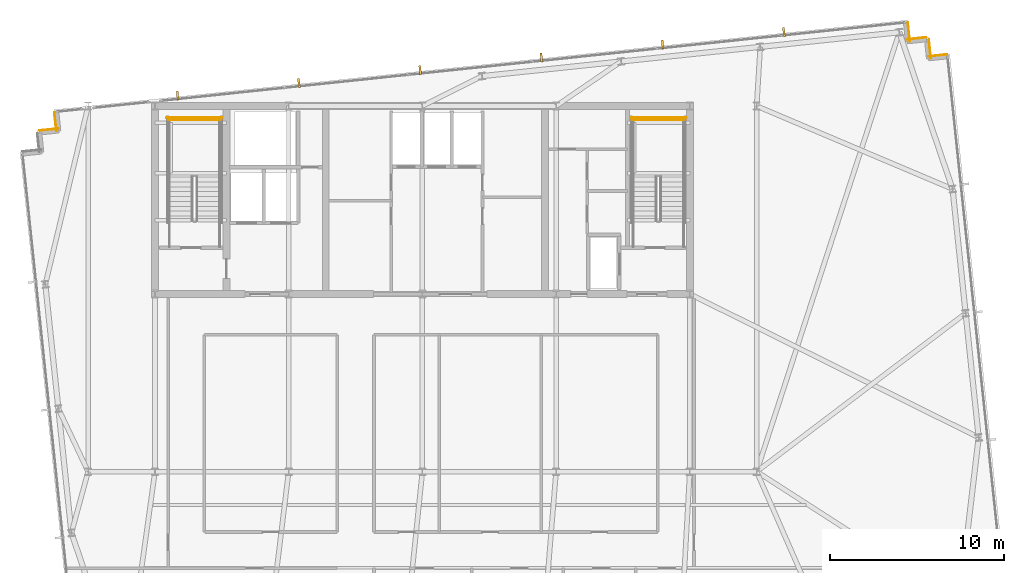
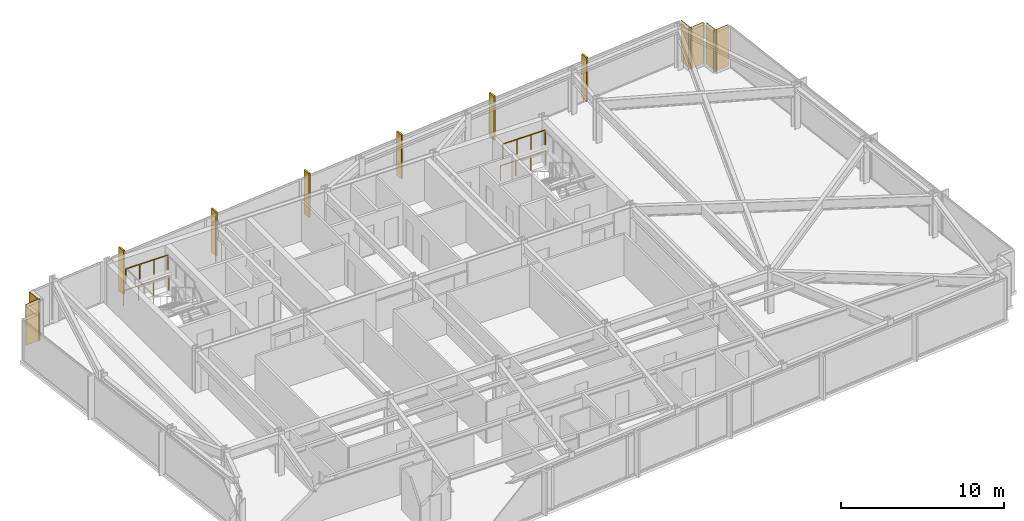
# One storey, part 32 of 32: 6 coverings, 6 shading devices, 4 railings.
"""IFC4 building model written with IfcOpenShell, lengths in metres."""

from ifc_helpers import new_model, si_unit, direction, frame, frame_2d, origin, origin_2d, place, context, subcontext, project, spatial, rectangle, circle, extrude, material, layer, layer_set, type_object, element, save


model = new_model("IFC4")

# Units and contexts
model_context = context("Model", 3, precision=1e-05, world=origin(), true_north=direction((0.0, 1.0)))
body_context = subcontext(model_context, "Body", "Model", "MODEL_VIEW")
ifc_project = project(units=[si_unit("LENGTHUNIT", "METRE"), si_unit("AREAUNIT", "SQUARE_METRE"), si_unit("VOLUMEUNIT", "CUBIC_METRE"), si_unit("PLANEANGLEUNIT", "RADIAN"), si_unit("MASSUNIT", "GRAM", prefix="KILO")], contexts=[model_context])

# Site, building, storey
site_placement = place(None, origin())
site = spatial("IfcSite", under=ifc_project, at=site_placement, CompositionType="ELEMENT")
building_placement = place(site_placement, origin())
building = spatial("IfcBuilding", under=site, at=building_placement, Name="Yelkora Congress Tower", CompositionType="ELEMENT")
storey_placement = place(building_placement, frame((0.0, 0.0, 214.39990234375)))
storey = spatial("IfcBuildingStorey", under=building, at=storey_placement, Name="L59", CompositionType="ELEMENT", Elevation=214.39990234375)

# Coverings
ifc_material_1 = material(Name="Anatolian bush-hammered limestone", Category="masonry")
ifc_layer_1 = layer(ifc_material_1, 0.0400390625)
ifc_layer_set_1 = layer_set([ifc_layer_1], Name="Anatolian bush-hammered limestone")
covering_type = type_object("IfcCoveringType", Name="COV-CLAD-SPANDREL-40", PredefinedType="CLADDING", material=ifc_layer_set_1)
for number, where, z_axis, x_axis, name in (
    (1, (16.406005859375, 44.7880859375, 0.0), (0.0, 0.0, 1.0), (0.994544300928, 0.104315068386, 0.0), "L59 Anatolian Limestone Cladding EW-L59-SR08"),
    (2, (17.379638671875, 44.75439453125, 0.0), (0.0, 0.0, 1.0), (-0.104534592565, 0.994521251134, 0.0), "L59 Anatolian Limestone Cladding EW-L59-SR09"),
    (3, (66.284912109375, 51.000732421875, 0.0), (0.0, 0.0, 1.0), (0.104534592565, -0.994521251134, 0.0), "L59 Anatolian Limestone Cladding EW-L59-SR11"),
):
    element("IfcCovering", number, at=place(storey_placement, frame(where, z_axis=z_axis, x_axis=x_axis)), inside=storey, type_object=covering_type, Name=name, PredefinedType="CLADDING", context=body_context, shape_type="SweptSolid", body=[
        extrude(rectangle(XDim=1.10009765625, YDim=0.0400390625, at=frame_2d((0.550048828125, 0.0))), origin(), (0.0, 0.0, 1.0), 3.080078125),
    ])
covering_placement = place(storey_placement, frame((66.25146484375, 50.02685546875, 0.0), z_axis=(0.0, 0.0, 1.0), x_axis=(0.994518825066, 0.104557671117, 0.0)))
element("IfcCovering", 4, at=covering_placement, inside=storey, type_object=covering_type, Name="L59 Anatolian Limestone Cladding EW-L59-SR12", PredefinedType="CLADDING", context=body_context, shape_type="SweptSolid", body=[
    extrude(rectangle(XDim=1.099853515625, YDim=0.0400390625, at=frame_2d((0.5498046875, 0.0))), origin(), (0.0, 0.0, 1.0), 3.080078125),
])
for number, where, z_axis, x_axis, name in (
    (5, (67.49365234375, 50.021728515625, 0.0), (0.0, 0.0, 1.0), (0.104534592565, -0.994521251134, 0.0), "L59 Anatolian Limestone Cladding EW-L59-SR13"),
    (6, (67.460205078125, 49.0478515625, 0.0), (0.0, 0.0, 1.0), (0.994521251134, 0.104534592565, 0.0), "L59 Anatolian Limestone Cladding EW-L59-SR14"),
):
    element("IfcCovering", number, at=place(storey_placement, frame(where, z_axis=z_axis, x_axis=x_axis)), inside=storey, type_object=covering_type, Name=name, PredefinedType="CLADDING", context=body_context, shape_type="SweptSolid", body=[
        extrude(rectangle(XDim=1.10009765625, YDim=0.0400390625, at=frame_2d((0.550048828125, 0.0))), origin(), (0.0, 0.0, 1.0), 3.080078125),
    ])

# Railings
ifc_material_2 = material(Name="Painted galvanised steel stair well guard with vertical infill", Category="steel")
ifc_layer_2 = layer(ifc_material_2, 0.06005859375)
ifc_layer_set_2 = layer_set([ifc_layer_2], Name="Painted galvanised steel stair well guard with vertical infill")
railing_type = type_object("IfcRailingType", Name="RAIL-STAIR-GUARD-1120", PredefinedType="GUARDRAIL", material=ifc_layer_set_2)
railing_1_placement = place(storey_placement, frame((26.820068359375, 45.419921875, 1.650146484375)))
element("IfcRailing", 7, at=railing_1_placement, inside=storey, type_object=railing_type, Name="ST-01 L59 Stair Well Guardrail 5", PredefinedType="GUARDRAIL", context=body_context, shape_type="SweptSolid", body=[
    extrude(circle(Radius=0.02392578125, at=origin_2d()), frame((0.0, 0.0, 1.09619140625), z_axis=(-1.0, 0.0, 0.0), x_axis=(0.0, -1.0, 0.0)), (0.0, 0.0, 1.0), 3.0),
    extrude(circle(Radius=0.02099609375, at=origin_2d()), origin(), (0.0, 0.0, 1.0), 1.072021484375),
    extrude(circle(Radius=0.02099609375, at=origin_2d()), frame((-1.0, 0.0, 0.0)), (0.0, 0.0, 1.0), 1.072021484375),
    extrude(circle(Radius=0.02099609375, at=origin_2d()), frame((-2.0, 0.0, 0.0)), (0.0, 0.0, 1.0), 1.072021484375),
    extrude(circle(Radius=0.02099609375, at=origin_2d()), frame((-3.0, 0.0, 0.0)), (0.0, 0.0, 1.0), 1.072021484375),
])
railing_2_placement = place(storey_placement, frame((26.919921875, 45.52001953125, 0.0)))
element("IfcRailing", 8, at=railing_2_placement, inside=storey, type_object=railing_type, Name="ST-01 L59 Stair Well Guardrail 12", PredefinedType="GUARDRAIL", context=body_context, shape_type="SweptSolid", body=[
    extrude(circle(Radius=0.02392578125, at=origin_2d()), frame((0.0, 0.0, 1.09619140625), z_axis=(-1.0, 0.0, 0.0), x_axis=(0.0, -1.0, 0.0)), (0.0, 0.0, 1.0), 3.199951171875),
    extrude(circle(Radius=0.02099609375, at=origin_2d()), origin(), (0.0, 0.0, 1.0), 1.072021484375),
    extrude(circle(Radius=0.02099609375, at=origin_2d()), frame((-1.066650390625, 0.0, 0.0)), (0.0, 0.0, 1.0), 1.072021484375),
    extrude(circle(Radius=0.02099609375, at=origin_2d()), frame((-2.13330078125, 0.0, 0.0)), (0.0, 0.0, 1.0), 1.072021484375),
    extrude(circle(Radius=0.02099609375, at=origin_2d()), frame((-3.199951171875, 0.0, 0.0)), (0.0, 0.0, 1.0), 1.072021484375),
])
railing_3_placement = place(storey_placement, frame((53.4599609375, 45.419921875, 1.650146484375)))
element("IfcRailing", 9, at=railing_3_placement, inside=storey, type_object=railing_type, Name="ST-02 L59 Stair Well Guardrail 5", PredefinedType="GUARDRAIL", context=body_context, shape_type="SweptSolid", body=[
    extrude(circle(Radius=0.02392578125, at=origin_2d()), frame((0.0, 0.0, 1.09619140625), z_axis=(-1.0, 0.0, 0.0), x_axis=(0.0, -1.0, 0.0)), (0.0, 0.0, 1.0), 3.0),
    extrude(circle(Radius=0.02099609375, at=origin_2d()), origin(), (0.0, 0.0, 1.0), 1.072021484375),
    extrude(circle(Radius=0.02099609375, at=origin_2d()), frame((-1.0, 0.0, 0.0)), (0.0, 0.0, 1.0), 1.072021484375),
    extrude(circle(Radius=0.02099609375, at=origin_2d()), frame((-2.0, 0.0, 0.0)), (0.0, 0.0, 1.0), 1.072021484375),
    extrude(circle(Radius=0.02099609375, at=origin_2d()), frame((-3.0, 0.0, 0.0)), (0.0, 0.0, 1.0), 1.072021484375),
])
railing_4_placement = place(storey_placement, frame((53.56005859375, 45.52001953125, 0.0)))
element("IfcRailing", 10, at=railing_4_placement, inside=storey, type_object=railing_type, Name="ST-02 L59 Stair Well Guardrail 12", PredefinedType="GUARDRAIL", context=body_context, shape_type="SweptSolid", body=[
    extrude(circle(Radius=0.02392578125, at=origin_2d()), frame((0.0, 0.0, 1.09619140625), z_axis=(-1.0, 0.0, 0.0), x_axis=(0.0, -1.0, 0.0)), (0.0, 0.0, 1.0), 3.199951171875),
    extrude(circle(Radius=0.02099609375, at=origin_2d()), origin(), (0.0, 0.0, 1.0), 1.072021484375),
    extrude(circle(Radius=0.02099609375, at=origin_2d()), frame((-1.066650390625, 0.0, 0.0)), (0.0, 0.0, 1.0), 1.072021484375),
    extrude(circle(Radius=0.02099609375, at=origin_2d()), frame((-2.13330078125, 0.0, 0.0)), (0.0, 0.0, 1.0), 1.072021484375),
    extrude(circle(Radius=0.02099609375, at=origin_2d()), frame((-3.199951171875, 0.0, 0.0)), (0.0, 0.0, 1.0), 1.072021484375),
])

# Shading devices
ifc_material_3 = material(Name="Champagne anodised aluminium", Category="aluminium")
ifc_layer_3 = layer(ifc_material_3, 3.300048828125)
ifc_layer_set_3 = layer_set([ifc_layer_3], Name="Champagne anodised aluminium")
shading_device_type = type_object("IfcShadingDeviceType", Name="SHD-FIN-ALU-520", PredefinedType="USERDEFINED", material=ifc_layer_set_3)
for number, where, z_axis, x_axis, name in (
    (11, (24.342529296875, 46.79345703125, -0.02978515625), (0.0, 0.0, 1.0), (0.994521895368, 0.104528463268, 0.0), "L59 Vertical Anodised Solar Fin 10-1"),
    (12, (31.30712890625, 47.525390625, -0.02978515625), (0.0, 0.0, 1.0), (0.994521895368, 0.104528463268, 0.0), "L59 Vertical Anodised Solar Fin 10-2"),
    (13, (38.271484375, 48.257568359375, -0.02978515625), (0.0, 0.0, 1.0), (0.994521895368, 0.104528463268, 0.0), "L59 Vertical Anodised Solar Fin 10-3"),
    (14, (45.236083984375, 48.989501953125, -0.02978515625), (0.0, 0.0, 1.0), (0.994521895368, 0.104528463268, 0.0), "L59 Vertical Anodised Solar Fin 10-4"),
    (15, (52.20068359375, 49.721435546875, -0.02978515625), (0.0, 0.0, 1.0), (0.994521895368, 0.104528463268, 0.0), "L59 Vertical Anodised Solar Fin 10-5"),
    (16, (59.1650390625, 50.45361328125, -0.02978515625), (0.0, 0.0, 1.0), (0.994521895368, 0.104528463268, 0.0), "L59 Vertical Anodised Solar Fin 10-6"),
):
    element("IfcShadingDevice", number, at=place(storey_placement, frame(where, z_axis=z_axis, x_axis=x_axis)), inside=storey, type_object=shading_device_type, Name=name, ObjectType="FIN", PredefinedType="USERDEFINED", context=body_context, shape_type="SweptSolid", body=[
        extrude(rectangle(XDim=0.1201171875, YDim=0.52001953125, at=origin_2d()), origin(), (0.0, 0.0, 1.0), 3.280029296875),
    ])

save(model, "model.ifc")
